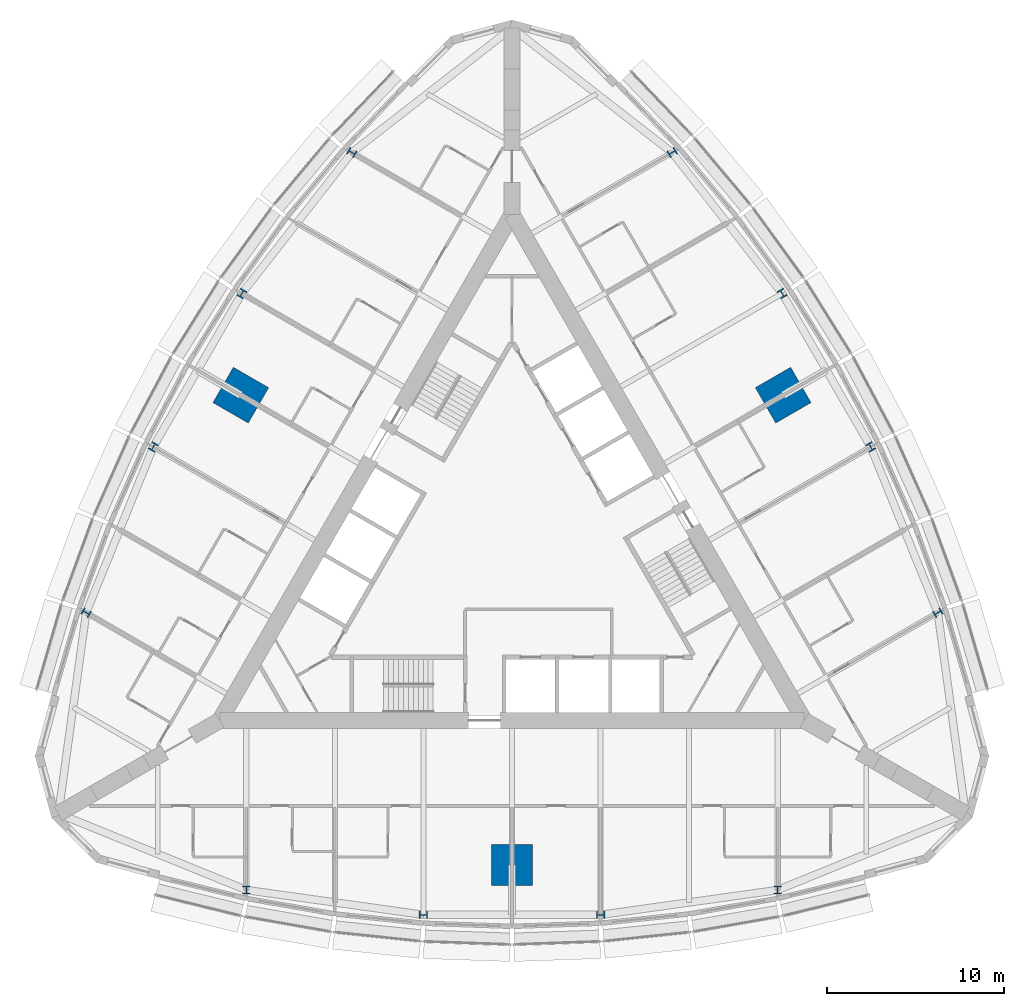
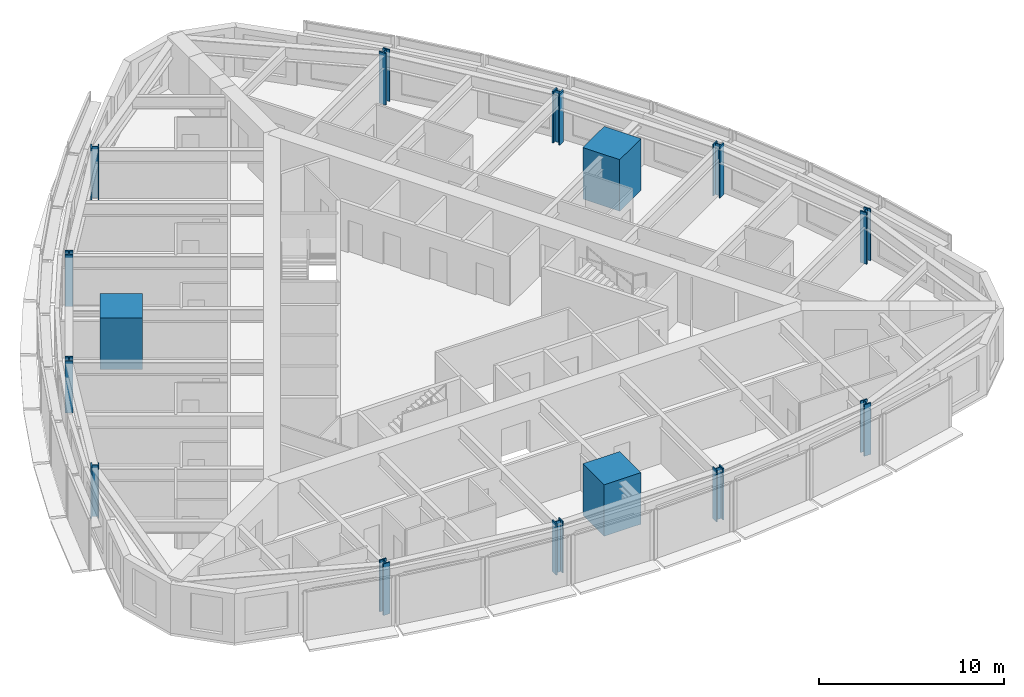
# One storey, part 1 of 14: 15 columns.
"""IFC4 building model written with IfcOpenShell, lengths in metres."""

from ifc_helpers import new_model, si_unit, direction, frame, origin, origin_2d, place, context, subcontext, project, spatial, rectangle, i_section, extrude, material, material_profile, profile_set, type_object, element, save


model = new_model("IFC4")

# Units and contexts
model_context = context("Model", 3, precision=1e-05, world=origin(), true_north=direction((0.0, 1.0)))
body_context = subcontext(model_context, "Body", "Model", "MODEL_VIEW")
ifc_project = project(units=[si_unit("LENGTHUNIT", "METRE"), si_unit("AREAUNIT", "SQUARE_METRE"), si_unit("VOLUMEUNIT", "CUBIC_METRE"), si_unit("PLANEANGLEUNIT", "RADIAN"), si_unit("MASSUNIT", "GRAM", prefix="KILO")], contexts=[model_context])

# Site, building, storey
site_placement = place(None, origin())
site = spatial("IfcSite", under=ifc_project, at=site_placement, CompositionType="ELEMENT")
building_placement = place(site_placement, origin())
building = spatial("IfcBuilding", under=site, at=building_placement, Name="Trikona Tower", CompositionType="ELEMENT")
storey_placement = place(building_placement, frame((0.0, 0.0, 179.300048828125)))
storey = spatial("IfcBuildingStorey", under=building, at=storey_placement, Name="L48", CompositionType="ELEMENT", Elevation=179.300048828125)

# Columns
ifc_material_1 = material(Name="Concrete f'c 10000 psi with encased steel section", Category="concrete")
ifc_material_profile_1 = material_profile(ifc_material_1, rectangle(XDim=2.300048828125, YDim=2.300048828125, at=origin_2d()), Name="MC2300")
ifc_profile_set_1 = profile_set([ifc_material_profile_1], Name="Concrete f'c 10000 psi with encased steel section")
column_type_1 = type_object("IfcColumnType", Name="Composite mega column 2300x2300", PredefinedType="COLUMN", material=ifc_profile_set_1)
for number, where, z_axis, x_axis, name in (
    (1, (0.0, -17.680419921875, 0.0), (0.0, 0.0, 1.0), (0.0, -1.0, 0.0), "Mega column MC1"),
    (2, (15.311767578125, 8.84033203125, 0.0), (0.0, 0.0, 1.0), (0.866025403784, 0.5, 0.0), "Mega column MC2"),
    (3, (-15.311767578125, 8.84033203125, 0.0), (0.0, 0.0, 1.0), (-0.866025403784, 0.5, 0.0), "Mega column MC3"),
):
    element("IfcColumn", number, at=place(storey_placement, frame(where, z_axis=z_axis, x_axis=x_axis)), inside=storey, type_object=column_type_1, Name=name, PredefinedType="COLUMN", context=body_context, shape_type="SweptSolid", body=[
        extrude(rectangle(XDim=2.300048828125, YDim=2.300048828125, at=origin_2d()), origin(), (0.0, 0.0, 1.0), 3.39990234375),
    ])
ifc_material_2 = material(Name="Steel ASTM A992 Grade 50", Category="steel")
ifc_material_profile_2 = material_profile(ifc_material_2, i_section(OverallWidth=0.424072265625, OverallDepth=0.47509765625, WebThickness=0.0478515625, FlangeThickness=0.0771484375, at=origin_2d()), Name="W14X426")
ifc_profile_set_2 = profile_set([ifc_material_profile_2], Name="Steel ASTM A992 Grade 50")
column_type_2 = type_object("IfcColumnType", Name="Steel column W14x426", PredefinedType="COLUMN", material=ifc_profile_set_2)
for number, where, z_axis, x_axis, name in (
    (4, (-15.0, -19.10009765625, 0.0), (0.0, 0.0, 1.0), (1.0, 0.0, 0.0), "Column F0m15"),
    (5, (-5.0, -20.500244140625, 0.0), (0.0, 0.0, 1.0), (0.0, -1.0, 0.0), "Column F0m5"),
    (6, (5.0, -20.500244140625, 0.0), (0.0, 0.0, 1.0), (0.0, -1.0, 0.0), "Column F0p5"),
    (7, (15.0, -19.10009765625, 0.0), (0.0, 0.0, 1.0), (1.0, 0.0, 0.0), "Column F0p15"),
    (8, (24.041259765625, -3.440185546875, 0.0), (0.0, 0.0, 1.0), (-0.5, 0.866025403784, 0.0), "Column F1m15"),
    (9, (20.253662109375, 5.919921875, 0.0), (0.0, 0.0, 1.0), (0.866025403784, 0.5, 0.0), "Column F1m5"),
    (10, (15.253662109375, 14.580078125, 0.0), (0.0, 0.0, 1.0), (0.866025403784, 0.5, 0.0), "Column F1p5"),
    (11, (9.041259765625, 22.54052734375, 0.0), (0.0, 0.0, 1.0), (-0.5, 0.866025403784, 0.0), "Column F1p15"),
    (12, (-9.041259765625, 22.54052734375, 0.0), (0.0, 0.0, 1.0), (-0.5, -0.866025403784, 0.0), "Column F2m15"),
    (13, (-15.253662109375, 14.580078125, 0.0), (0.0, 0.0, 1.0), (-0.866025403784, 0.5, 0.0), "Column F2m5"),
    (14, (-20.253662109375, 5.919921875, 0.0), (0.0, 0.0, 1.0), (-0.866025403784, 0.5, 0.0), "Column F2p5"),
    (15, (-24.041259765625, -3.440185546875, 0.0), (0.0, 0.0, 1.0), (-0.5, -0.866025403784, 0.0), "Column F2p15"),
):
    element("IfcColumn", number, at=place(storey_placement, frame(where, z_axis=z_axis, x_axis=x_axis)), inside=storey, type_object=column_type_2, Name=name, PredefinedType="COLUMN", context=body_context, shape_type="SweptSolid", body=[
        extrude(i_section(OverallWidth=0.424072265625, OverallDepth=0.47509765625, WebThickness=0.0478515625, FlangeThickness=0.0771484375, at=origin_2d()), origin(), (0.0, 0.0, 1.0), 3.39990234375),
    ])

save(model, "model.ifc")
